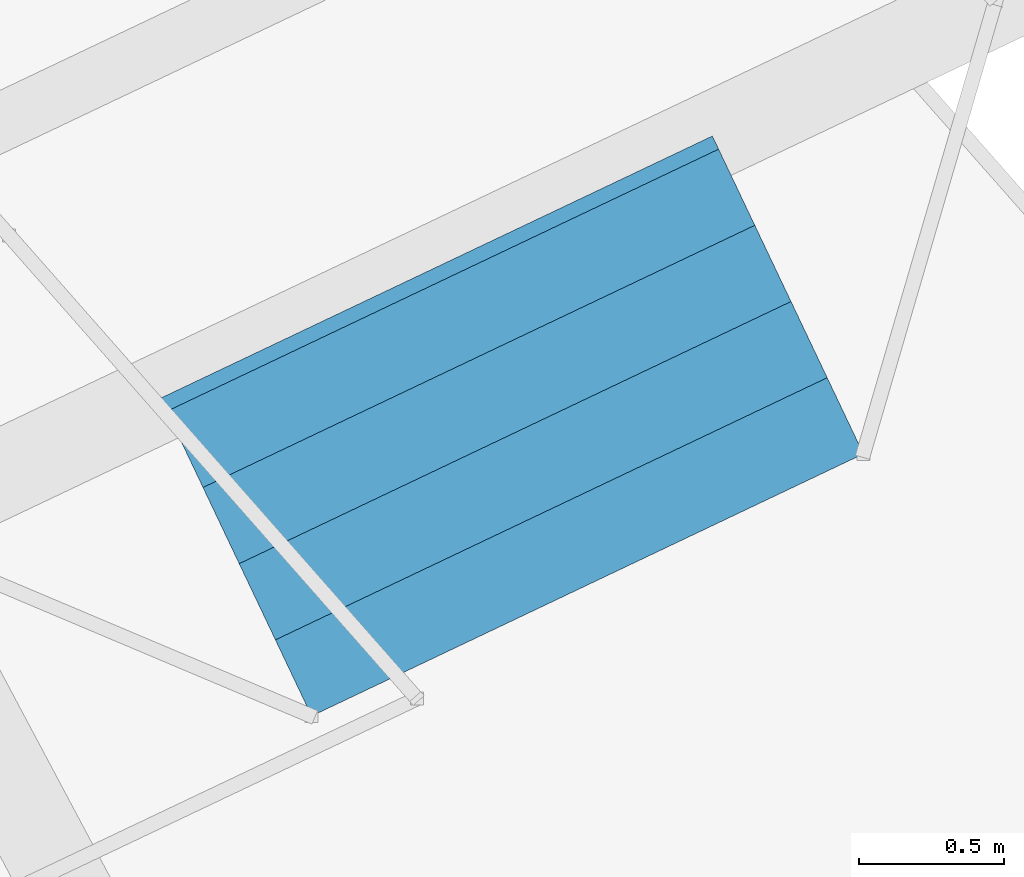
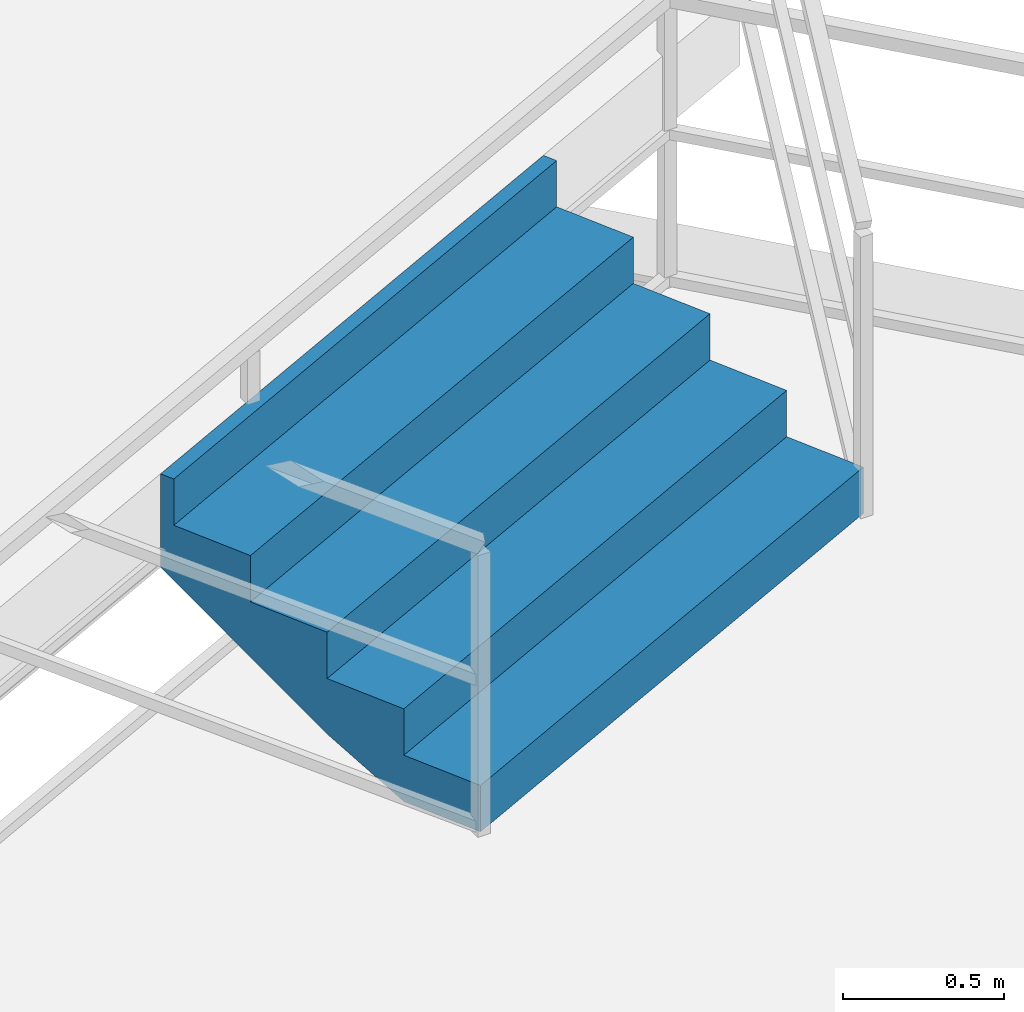
# One storey, part 152 of 186: 1 stair flight, 1 element without a shape of its own.
"""IFC4 building model written with IfcOpenShell, lengths in metres."""

from ifc_helpers import new_model, si_unit, direction, frame, origin, place, context, subcontext, project, spatial, polygons, material, type_object, element, aggregate, save


model = new_model("IFC4")

# Units and contexts
model_context = context("Model", 3, precision=1e-05, world=origin(), true_north=direction((0.0, 1.0)))
body_context = subcontext(model_context, "Body", "Model", "MODEL_VIEW")
ifc_project = project(units=[si_unit("LENGTHUNIT", "METRE"), si_unit("AREAUNIT", "SQUARE_METRE"), si_unit("VOLUMEUNIT", "CUBIC_METRE"), si_unit("PLANEANGLEUNIT", "RADIAN"), si_unit("MASSUNIT", "GRAM", prefix="KILO")], contexts=[model_context])

# Site, building, storey
site_placement = place(None, origin())
site = spatial("IfcSite", under=ifc_project, at=site_placement, CompositionType="ELEMENT")
building_placement = place(site_placement, origin())
building = spatial("IfcBuilding", under=site, at=building_placement, Name="Kazemori Nagisa Stadium", CompositionType="ELEMENT")
storey_placement = place(building_placement, frame((0.0, 0.0, 20.39990234375)))
storey = spatial("IfcBuildingStorey", under=building, at=storey_placement, Name="L04", CompositionType="ELEMENT", Elevation=20.39990234375)

# Stair, stair flight
ifc_material = material(Name="Concrete C36/45 (Fc36)", Category="concrete")
stair_type = type_object("IfcStairType", Name="Stair_VOM_VU", PredefinedType="STRAIGHT_RUN_STAIR", material=ifc_material)
stair_placement = place(storey_placement, origin())
stair = element("IfcStair", 1, at=stair_placement, inside=storey, type_object=stair_type, Name="Vomitory stair upper VU10", PredefinedType="STRAIGHT_RUN_STAIR")
stair_flight_type = type_object("IfcStairFlightType", Name="Flight_VOM_VU", PredefinedType="STRAIGHT", material=ifc_material)
stair_flight_placement = place(storey_placement, frame((170.556396484375, 44.126708984375, 0.0), z_axis=(0.0, 0.0, 1.0), x_axis=(-0.429108326457, 0.903253034407, 0.0)))
stair_flight = element("IfcStairFlight", 2, at=stair_flight_placement, type_object=stair_flight_type, Name="Vomitory stair upper VU10 flight", NumberOfRisers=5, NumberOfTreads=4, PredefinedType="STRAIGHT", RiserHeight=0.176, TreadLength=0.29, context=body_context, shape_type="Tessellation", body=[
    polygons([(0.0, -1.050048828125, 0.0), (0.0, -1.050048828125, 0.176025390625), (0.2900390625, -1.050048828125, 0.176025390625), (0.2900390625, -1.050048828125, 0.35205078125), (0.580078125, -1.050048828125, 0.35205078125), (0.580078125, -1.050048828125, 0.528076171875), (0.8701171875, -1.050048828125, 0.528076171875), (0.8701171875, -1.050048828125, 0.7041015625), (1.159912109375, -1.050048828125, 0.7041015625), (1.159912109375, -1.050048828125, 0.8798828125), (1.2099609375, -1.050048828125, 0.8798828125), (1.2099609375, -1.050048828125, 0.52392578125), (1.159912109375, -1.050048828125, 0.493408203125), (0.8701171875, -1.050048828125, 0.317626953125), (0.580078125, -1.050048828125, 0.1416015625), (0.2900390625, -1.050048828125, 0.0), (0.0, -0.083984375, 0.0), (0.0, -0.083984375, 0.176025390625), (0.2900390625, -0.083984375, 0.176025390625), (0.2900390625, -0.083984375, 0.35205078125), (0.580078125, -0.083984375, 0.35205078125), (0.580078125, -0.083984375, 0.528076171875), (0.8701171875, -0.083984375, 0.528076171875), (0.8701171875, -0.083984375, 0.7041015625), (1.159912109375, -0.083984375, 0.7041015625), (1.159912109375, -0.083984375, 0.8798828125), (1.2099609375, -0.083984375, 0.8798828125), (1.2099609375, -0.083984375, 0.52392578125), (1.159912109375, -0.083984375, 0.493408203125), (0.8701171875, -0.083984375, 0.317626953125), (0.580078125, -0.083984375, 0.1416015625), (0.2900390625, -0.083984375, 0.0), (0.0, -0.06298828125, 0.0), (0.0, -0.06298828125, 0.176025390625), (0.2900390625, -0.06298828125, 0.176025390625), (0.2900390625, -0.06298828125, 0.35205078125), (0.580078125, -0.06298828125, 0.35205078125), (0.580078125, -0.06298828125, 0.528076171875), (0.8701171875, -0.06298828125, 0.528076171875), (0.8701171875, -0.06298828125, 0.7041015625), (1.159912109375, -0.06298828125, 0.7041015625), (1.159912109375, -0.06298828125, 0.8798828125), (1.2099609375, -0.06298828125, 0.8798828125), (1.2099609375, -0.06298828125, 0.52392578125), (1.159912109375, -0.06298828125, 0.493408203125), (0.8701171875, -0.06298828125, 0.317626953125), (0.580078125, -0.06298828125, 0.1416015625), (0.2900390625, -0.06298828125, 0.0), (0.0, -0.0419921875, 0.0), (0.0, -0.0419921875, 0.176025390625), (0.2900390625, -0.0419921875, 0.176025390625), (0.2900390625, -0.0419921875, 0.35205078125), (0.580078125, -0.0419921875, 0.35205078125), (0.580078125, -0.0419921875, 0.528076171875), (0.8701171875, -0.0419921875, 0.528076171875), (0.8701171875, -0.0419921875, 0.7041015625), (1.159912109375, -0.0419921875, 0.7041015625), (1.159912109375, -0.0419921875, 0.8798828125), (1.2099609375, -0.0419921875, 0.8798828125), (1.2099609375, -0.0419921875, 0.52392578125), (1.159912109375, -0.0419921875, 0.493408203125), (0.8701171875, -0.0419921875, 0.317626953125), (0.580078125, -0.0419921875, 0.1416015625), (0.2900390625, -0.0419921875, 0.0), (0.0, -0.02099609375, 0.0), (0.0, -0.02099609375, 0.176025390625), (0.2900390625, -0.02099609375, 0.176025390625), (0.2900390625, -0.02099609375, 0.35205078125), (0.580078125, -0.02099609375, 0.35205078125), (0.580078125, -0.02099609375, 0.528076171875), (0.8701171875, -0.02099609375, 0.528076171875), (0.8701171875, -0.02099609375, 0.7041015625), (1.159912109375, -0.02099609375, 0.7041015625), (1.159912109375, -0.02099609375, 0.8798828125), (1.2099609375, -0.02099609375, 0.8798828125), (1.2099609375, -0.02099609375, 0.52392578125), (1.159912109375, -0.02099609375, 0.493408203125), (0.8701171875, -0.02099609375, 0.317626953125), (0.580078125, -0.02099609375, 0.1416015625), (0.2900390625, -0.02099609375, 0.0), (0.0, 0.0, 0.0), (0.0, 0.0, 0.176025390625), (0.2900390625, 0.0, 0.176025390625), (0.2900390625, 0.0, 0.35205078125), (0.580078125, 0.0, 0.35205078125), (0.580078125, 0.0, 0.528076171875), (0.8701171875, 0.0, 0.528076171875), (0.8701171875, 0.0, 0.7041015625), (1.159912109375, 0.0, 0.7041015625), (1.159912109375, 0.0, 0.8798828125), (1.2099609375, 0.0, 0.8798828125), (1.2099609375, 0.0, 0.52392578125), (1.159912109375, 0.0, 0.493408203125), (0.8701171875, 0.0, 0.317626953125), (0.580078125, 0.0, 0.1416015625), (0.2900390625, 0.0, 0.0), (0.0, 0.02099609375, 0.0), (0.0, 0.02099609375, 0.176025390625), (0.2900390625, 0.02099609375, 0.176025390625), (0.2900390625, 0.02099609375, 0.35205078125), (0.580078125, 0.02099609375, 0.35205078125), (0.580078125, 0.02099609375, 0.528076171875), (0.8701171875, 0.02099609375, 0.528076171875), (0.8701171875, 0.02099609375, 0.7041015625), (1.159912109375, 0.02099609375, 0.7041015625), (1.159912109375, 0.02099609375, 0.8798828125), (1.2099609375, 0.02099609375, 0.8798828125), (1.2099609375, 0.02099609375, 0.52392578125), (1.159912109375, 0.02099609375, 0.493408203125), (0.8701171875, 0.02099609375, 0.317626953125), (0.580078125, 0.02099609375, 0.1416015625), (0.2900390625, 0.02099609375, 0.0), (0.0, 0.0419921875, 0.0), (0.0, 0.0419921875, 0.176025390625), (0.2900390625, 0.0419921875, 0.176025390625), (0.2900390625, 0.0419921875, 0.35205078125), (0.580078125, 0.0419921875, 0.35205078125), (0.580078125, 0.0419921875, 0.528076171875), (0.8701171875, 0.0419921875, 0.528076171875), (0.8701171875, 0.0419921875, 0.7041015625), (1.159912109375, 0.0419921875, 0.7041015625), (1.159912109375, 0.0419921875, 0.8798828125), (1.2099609375, 0.0419921875, 0.8798828125), (1.2099609375, 0.0419921875, 0.52392578125), (1.159912109375, 0.0419921875, 0.493408203125), (0.8701171875, 0.0419921875, 0.317626953125), (0.580078125, 0.0419921875, 0.1416015625), (0.2900390625, 0.0419921875, 0.0), (0.0, 0.06298828125, 0.0), (0.0, 0.06298828125, 0.176025390625), (0.2900390625, 0.06298828125, 0.176025390625), (0.2900390625, 0.06298828125, 0.35205078125), (0.580078125, 0.06298828125, 0.35205078125), (0.580078125, 0.06298828125, 0.528076171875), (0.8701171875, 0.06298828125, 0.528076171875), (0.8701171875, 0.06298828125, 0.7041015625), (1.159912109375, 0.06298828125, 0.7041015625), (1.159912109375, 0.06298828125, 0.8798828125), (1.2099609375, 0.06298828125, 0.8798828125), (1.2099609375, 0.06298828125, 0.52392578125), (1.159912109375, 0.06298828125, 0.493408203125), (0.8701171875, 0.06298828125, 0.317626953125), (0.580078125, 0.06298828125, 0.1416015625), (0.2900390625, 0.06298828125, 0.0), (0.0, 0.083984375, 0.0), (0.0, 0.083984375, 0.176025390625), (0.2900390625, 0.083984375, 0.176025390625), (0.2900390625, 0.083984375, 0.35205078125), (0.580078125, 0.083984375, 0.35205078125), (0.580078125, 0.083984375, 0.528076171875), (0.8701171875, 0.083984375, 0.528076171875), (0.8701171875, 0.083984375, 0.7041015625), (1.159912109375, 0.083984375, 0.7041015625), (1.159912109375, 0.083984375, 0.8798828125), (1.2099609375, 0.083984375, 0.8798828125), (1.2099609375, 0.083984375, 0.52392578125), (1.159912109375, 0.083984375, 0.493408203125), (0.8701171875, 0.083984375, 0.317626953125), (0.580078125, 0.083984375, 0.1416015625), (0.2900390625, 0.083984375, 0.0), (0.0, 1.050048828125, 0.0), (0.0, 1.050048828125, 0.176025390625), (0.2900390625, 1.050048828125, 0.176025390625), (0.2900390625, 1.050048828125, 0.35205078125), (0.580078125, 1.050048828125, 0.35205078125), (0.580078125, 1.050048828125, 0.528076171875), (0.8701171875, 1.050048828125, 0.528076171875), (0.8701171875, 1.050048828125, 0.7041015625), (1.159912109375, 1.050048828125, 0.7041015625), (1.159912109375, 1.050048828125, 0.8798828125), (1.2099609375, 1.050048828125, 0.8798828125), (1.2099609375, 1.050048828125, 0.52392578125), (1.159912109375, 1.050048828125, 0.493408203125), (0.8701171875, 1.050048828125, 0.317626953125), (0.580078125, 1.050048828125, 0.1416015625), (0.2900390625, 1.050048828125, 0.0)], [[[1, 2, 18]], [[1, 18, 17]], [[2, 3, 19]], [[2, 19, 18]], [[3, 4, 20]], [[3, 20, 19]], [[4, 5, 21]], [[4, 21, 20]], [[5, 6, 22]], [[5, 22, 21]], [[6, 7, 23]], [[6, 23, 22]], [[7, 8, 24]], [[7, 24, 23]], [[8, 9, 25]], [[8, 25, 24]], [[9, 10, 26]], [[9, 26, 25]], [[10, 11, 27]], [[10, 27, 26]], [[11, 12, 28]], [[11, 28, 27]], [[12, 13, 29]], [[12, 29, 28]], [[13, 14, 30]], [[13, 30, 29]], [[14, 15, 31]], [[14, 31, 30]], [[15, 16, 32]], [[15, 32, 31]], [[16, 1, 17]], [[16, 17, 32]], [[17, 18, 34]], [[17, 34, 33]], [[18, 19, 35]], [[18, 35, 34]], [[19, 20, 36]], [[19, 36, 35]], [[20, 21, 37]], [[20, 37, 36]], [[21, 22, 38]], [[21, 38, 37]], [[22, 23, 39]], [[22, 39, 38]], [[23, 24, 40]], [[23, 40, 39]], [[24, 25, 41]], [[24, 41, 40]], [[25, 26, 42]], [[25, 42, 41]], [[26, 27, 43]], [[26, 43, 42]], [[27, 28, 44]], [[27, 44, 43]], [[28, 29, 45]], [[28, 45, 44]], [[29, 30, 46]], [[29, 46, 45]], [[30, 31, 47]], [[30, 47, 46]], [[31, 32, 48]], [[31, 48, 47]], [[32, 17, 33]], [[32, 33, 48]], [[33, 34, 50]], [[33, 50, 49]], [[34, 35, 51]], [[34, 51, 50]], [[35, 36, 52]], [[35, 52, 51]], [[36, 37, 53]], [[36, 53, 52]], [[37, 38, 54]], [[37, 54, 53]], [[38, 39, 55]], [[38, 55, 54]], [[39, 40, 56]], [[39, 56, 55]], [[40, 41, 57]], [[40, 57, 56]], [[41, 42, 58]], [[41, 58, 57]], [[42, 43, 59]], [[42, 59, 58]], [[43, 44, 60]], [[43, 60, 59]], [[44, 45, 61]], [[44, 61, 60]], [[45, 46, 62]], [[45, 62, 61]], [[46, 47, 63]], [[46, 63, 62]], [[47, 48, 64]], [[47, 64, 63]], [[48, 33, 49]], [[48, 49, 64]], [[49, 50, 66]], [[49, 66, 65]], [[50, 51, 67]], [[50, 67, 66]], [[51, 52, 68]], [[51, 68, 67]], [[52, 53, 69]], [[52, 69, 68]], [[53, 54, 70]], [[53, 70, 69]], [[54, 55, 71]], [[54, 71, 70]], [[55, 56, 72]], [[55, 72, 71]], [[56, 57, 73]], [[56, 73, 72]], [[57, 58, 74]], [[57, 74, 73]], [[58, 59, 75]], [[58, 75, 74]], [[59, 60, 76]], [[59, 76, 75]], [[60, 61, 77]], [[60, 77, 76]], [[61, 62, 78]], [[61, 78, 77]], [[62, 63, 79]], [[62, 79, 78]], [[63, 64, 80]], [[63, 80, 79]], [[64, 49, 65]], [[64, 65, 80]], [[65, 66, 82]], [[65, 82, 81]], [[66, 67, 83]], [[66, 83, 82]], [[67, 68, 84]], [[67, 84, 83]], [[68, 69, 85]], [[68, 85, 84]], [[69, 70, 86]], [[69, 86, 85]], [[70, 71, 87]], [[70, 87, 86]], [[71, 72, 88]], [[71, 88, 87]], [[72, 73, 89]], [[72, 89, 88]], [[73, 74, 90]], [[73, 90, 89]], [[74, 75, 91]], [[74, 91, 90]], [[75, 76, 92]], [[75, 92, 91]], [[76, 77, 93]], [[76, 93, 92]], [[77, 78, 94]], [[77, 94, 93]], [[78, 79, 95]], [[78, 95, 94]], [[79, 80, 96]], [[79, 96, 95]], [[80, 65, 81]], [[80, 81, 96]], [[81, 82, 98]], [[81, 98, 97]], [[82, 83, 99]], [[82, 99, 98]], [[83, 84, 100]], [[83, 100, 99]], [[84, 85, 101]], [[84, 101, 100]], [[85, 86, 102]], [[85, 102, 101]], [[86, 87, 103]], [[86, 103, 102]], [[87, 88, 104]], [[87, 104, 103]], [[88, 89, 105]], [[88, 105, 104]], [[89, 90, 106]], [[89, 106, 105]], [[90, 91, 107]], [[90, 107, 106]], [[91, 92, 108]], [[91, 108, 107]], [[92, 93, 109]], [[92, 109, 108]], [[93, 94, 110]], [[93, 110, 109]], [[94, 95, 111]], [[94, 111, 110]], [[95, 96, 112]], [[95, 112, 111]], [[96, 81, 97]], [[96, 97, 112]], [[97, 98, 114]], [[97, 114, 113]], [[98, 99, 115]], [[98, 115, 114]], [[99, 100, 116]], [[99, 116, 115]], [[100, 101, 117]], [[100, 117, 116]], [[101, 102, 118]], [[101, 118, 117]], [[102, 103, 119]], [[102, 119, 118]], [[103, 104, 120]], [[103, 120, 119]], [[104, 105, 121]], [[104, 121, 120]], [[105, 106, 122]], [[105, 122, 121]], [[106, 107, 123]], [[106, 123, 122]], [[107, 108, 124]], [[107, 124, 123]], [[108, 109, 125]], [[108, 125, 124]], [[109, 110, 126]], [[109, 126, 125]], [[110, 111, 127]], [[110, 127, 126]], [[111, 112, 128]], [[111, 128, 127]], [[112, 97, 113]], [[112, 113, 128]], [[113, 114, 130]], [[113, 130, 129]], [[114, 115, 131]], [[114, 131, 130]], [[115, 116, 132]], [[115, 132, 131]], [[116, 117, 133]], [[116, 133, 132]], [[117, 118, 134]], [[117, 134, 133]], [[118, 119, 135]], [[118, 135, 134]], [[119, 120, 136]], [[119, 136, 135]], [[120, 121, 137]], [[120, 137, 136]], [[121, 122, 138]], [[121, 138, 137]], [[122, 123, 139]], [[122, 139, 138]], [[123, 124, 140]], [[123, 140, 139]], [[124, 125, 141]], [[124, 141, 140]], [[125, 126, 142]], [[125, 142, 141]], [[126, 127, 143]], [[126, 143, 142]], [[127, 128, 144]], [[127, 144, 143]], [[128, 113, 129]], [[128, 129, 144]], [[129, 130, 146]], [[129, 146, 145]], [[130, 131, 147]], [[130, 147, 146]], [[131, 132, 148]], [[131, 148, 147]], [[132, 133, 149]], [[132, 149, 148]], [[133, 134, 150]], [[133, 150, 149]], [[134, 135, 151]], [[134, 151, 150]], [[135, 136, 152]], [[135, 152, 151]], [[136, 137, 153]], [[136, 153, 152]], [[137, 138, 154]], [[137, 154, 153]], [[138, 139, 155]], [[138, 155, 154]], [[139, 140, 156]], [[139, 156, 155]], [[140, 141, 157]], [[140, 157, 156]], [[141, 142, 158]], [[141, 158, 157]], [[142, 143, 159]], [[142, 159, 158]], [[143, 144, 160]], [[143, 160, 159]], [[144, 129, 145]], [[144, 145, 160]], [[145, 146, 162]], [[145, 162, 161]], [[146, 147, 163]], [[146, 163, 162]], [[147, 148, 164]], [[147, 164, 163]], [[148, 149, 165]], [[148, 165, 164]], [[149, 150, 166]], [[149, 166, 165]], [[150, 151, 167]], [[150, 167, 166]], [[151, 152, 168]], [[151, 168, 167]], [[152, 153, 169]], [[152, 169, 168]], [[153, 154, 170]], [[153, 170, 169]], [[154, 155, 171]], [[154, 171, 170]], [[155, 156, 172]], [[155, 172, 171]], [[156, 157, 173]], [[156, 173, 172]], [[157, 158, 174]], [[157, 174, 173]], [[158, 159, 175]], [[158, 175, 174]], [[159, 160, 176]], [[159, 176, 175]], [[160, 145, 161]], [[160, 161, 176]], [[3, 2, 1]], [[161, 162, 163]], [[16, 3, 1]], [[161, 163, 176]], [[15, 3, 16]], [[176, 163, 175]], [[5, 3, 15]], [[175, 163, 165]], [[5, 4, 3]], [[163, 164, 165]], [[14, 5, 15]], [[175, 165, 174]], [[7, 5, 14]], [[174, 165, 167]], [[7, 6, 5]], [[165, 166, 167]], [[13, 7, 14]], [[174, 167, 173]], [[9, 7, 13]], [[173, 167, 169]], [[9, 8, 7]], [[167, 168, 169]], [[12, 9, 13]], [[173, 169, 172]], [[11, 9, 12]], [[172, 169, 171]], [[11, 10, 9]], [[169, 170, 171]]], closed=True),
])
aggregate(stair, [stair_flight])

save(model, "model.ifc")
